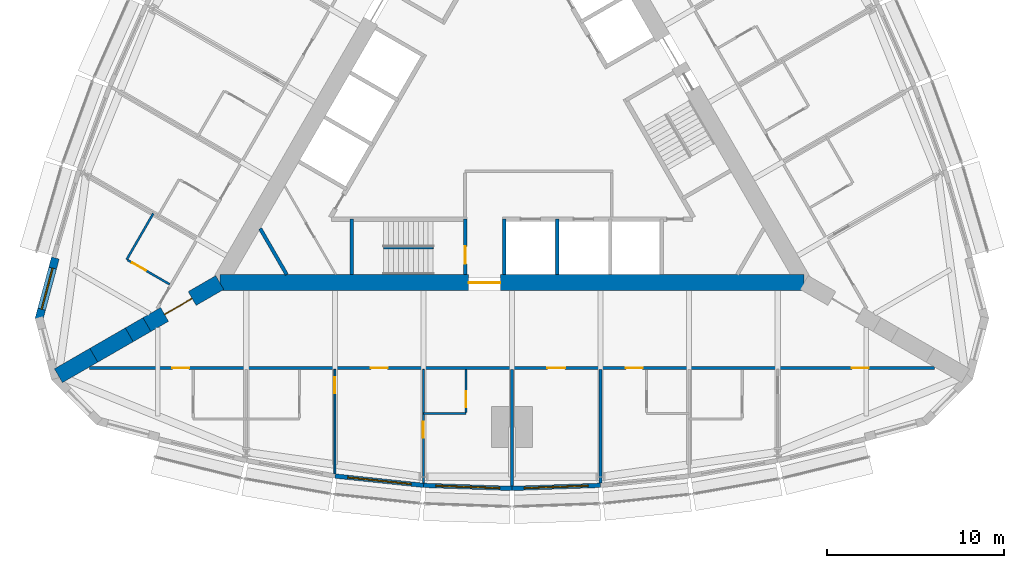
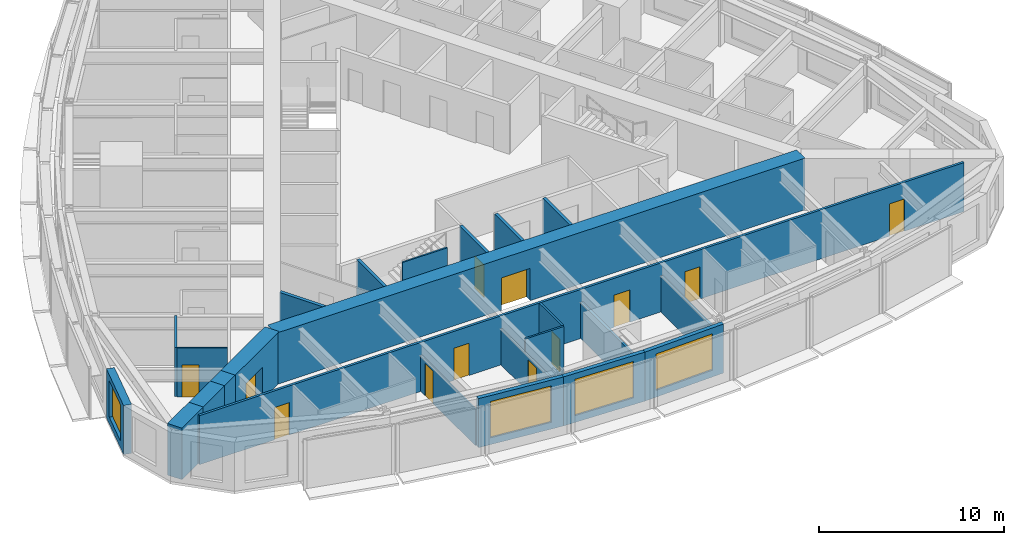
# One storey, part 8 of 14: 24 walls, 12 doors, 4 windows, 16 openings.
"""IFC4 building model written with IfcOpenShell, lengths in metres."""

from ifc_helpers import new_model, si_unit, direction, frame, frame_2d, origin, place, context, subcontext, project, spatial, rectangle, extrude, material, layer, layer_set, type_object, element, fill, save


model = new_model("IFC4")

# Units and contexts
model_context = context("Model", 3, precision=1e-05, world=origin(), true_north=direction((0.0, 1.0)))
body_context = subcontext(model_context, "Body", "Model", "MODEL_VIEW")
ifc_project = project(units=[si_unit("LENGTHUNIT", "METRE"), si_unit("AREAUNIT", "SQUARE_METRE"), si_unit("VOLUMEUNIT", "CUBIC_METRE"), si_unit("PLANEANGLEUNIT", "RADIAN"), si_unit("MASSUNIT", "GRAM", prefix="KILO")], contexts=[model_context])

# Site, building, storey
site_placement = place(None, origin())
site = spatial("IfcSite", under=ifc_project, at=site_placement, CompositionType="ELEMENT")
building_placement = place(site_placement, origin())
building = spatial("IfcBuilding", under=site, at=building_placement, Name="Trikona Tower", CompositionType="ELEMENT")
storey_placement = place(building_placement, frame((0.0, 0.0, 141.89990234375)))
storey = spatial("IfcBuildingStorey", under=building, at=storey_placement, Name="L37", CompositionType="ELEMENT", Elevation=141.89990234375)

# Wall
ifc_material_1 = material(Name="Metal stud and cement board", Category="gypsum")
ifc_layer_1 = layer(ifc_material_1, 0.1201171875)
ifc_layer_set_1 = layer_set([ifc_layer_1], Name="Bathroom wall 120")
wall_type_1 = type_object("IfcWallType", Name="Bathroom wall 120", PredefinedType="PLUMBINGWALL", material=ifc_layer_set_1)
wall_1_placement = place(storey_placement, frame((-5.0, -16.92626953125, 0.0), z_axis=(0.0, 0.0, 1.0), x_axis=(1.0, 0.0, 0.0)))
element("IfcWall", 1, at=wall_1_placement, inside=storey, type_object=wall_type_1, Name="Bathroom wall 3702.2", PredefinedType="PLUMBINGWALL", context=body_context, shape_type="SweptSolid", body=[
    extrude(rectangle(XDim=2.39990234375, YDim=0.1201171875, at=frame_2d((1.199951171875, 0.0))), origin(), (0.0, 0.0, 1.0), 3.235107421875),
])

# Wall, opening, door
wall_2_placement = place(storey_placement, frame((-2.60009765625, -14.42626953125, 0.0), z_axis=(0.0, 0.0, 1.0), x_axis=(0.0, -1.0, 0.0)))
wall_2 = element("IfcWall", 2, at=wall_2_placement, inside=storey, type_object=wall_type_1, Name="Bathroom wall 3702.2", PredefinedType="PLUMBINGWALL", context=body_context, shape_type="SweptSolid", body=[
    extrude(rectangle(XDim=2.43994140625, YDim=0.1201171875, at=frame_2d((1.219970703125, 0.0))), origin(), (0.0, 0.0, 1.0), 3.235107421875),
])
opening_1_placement = place(wall_2_placement, frame((1.25, 0.0, 0.0)))
opening_1 = element("IfcOpeningElement", 3, at=opening_1_placement, cuts=wall_2, Name="Opening D2", PredefinedType="OPENING", context=body_context, shape_type="SweptSolid", body=[
    extrude(rectangle(XDim=0.89990234375, YDim=2.1298828125, at=frame_2d((0.449951171875, 1.06494140625))), frame((0.0, 0.070068359375, 0.0), z_axis=(0.0, -1.0, 0.0), x_axis=(1.0, 0.0, 0.0)), (0.0, 0.0, 1.0), 0.14013671875),
])
ifc_material_2 = material(Name="Steel door frame with solid-core timber leaf", Category="steel")
door_type_1 = type_object("IfcDoorType", Name="Bathroom door 900x2130", OperationType="SLIDING_TO_LEFT", PredefinedType="DOOR", material=ifc_material_2)
door_1_placement = place(opening_1_placement, origin())
door_1 = element("IfcDoor", 4, at=door_1_placement, inside=storey, type_object=door_type_1, Name="Bathroom door 3702.2", OperationType="SLIDING_TO_LEFT", OverallHeight=2.1298828125, OverallWidth=0.89990234375, PredefinedType="DOOR", context=body_context, shape_type="SweptSolid", body=[
    extrude(rectangle(XDim=0.89990234375, YDim=2.1298828125, at=frame_2d((0.449951171875, 1.06494140625))), frame((0.0, 0.02490234375, 0.0), z_axis=(0.0, -1.0, 0.0), x_axis=(1.0, 0.0, 0.0)), (0.0, 0.0, 1.0), 0.050048828125),
])
fill(opening_1, door_1)

# Wall
wall_3_placement = place(storey_placement, frame((-20.25341796875, -5.627197265625, 0.0), z_axis=(0.0, 0.0, 1.0), x_axis=(-0.499990139034, -0.866031096941, 0.0)))
element("IfcWall", 5, at=wall_3_placement, inside=storey, type_object=wall_type_1, Name="Bathroom wall 3716", PredefinedType="PLUMBINGWALL", context=body_context, shape_type="SweptSolid", body=[
    extrude(rectangle(XDim=3.0, YDim=0.1201171875, at=frame_2d((1.5, 0.0))), origin(), (0.0, 0.0, 1.0), 3.235107421875),
])

# Wall, opening, door
wall_4_placement = place(storey_placement, frame((-19.32861328125, -9.625244140625, 0.0), z_axis=(0.0, 0.0, 1.0), x_axis=(-0.866035715982, 0.499982138324, 0.0)))
wall_4 = element("IfcWall", 6, at=wall_4_placement, inside=storey, type_object=wall_type_1, Name="Bathroom wall 3716", PredefinedType="PLUMBINGWALL", context=body_context, shape_type="SweptSolid", body=[
    extrude(rectangle(XDim=2.73974609375, YDim=0.1201171875, at=frame_2d((1.369873046875, 0.0))), origin(), (0.0, 0.0, 1.0), 3.235107421875),
])
opening_2_placement = place(wall_4_placement, frame((1.550048828125, 0.0, 0.0)))
opening_2 = element("IfcOpeningElement", 7, at=opening_2_placement, cuts=wall_4, Name="Opening D2", PredefinedType="OPENING", context=body_context, shape_type="SweptSolid", body=[
    extrude(rectangle(XDim=0.89990234375, YDim=2.1298828125, at=frame_2d((0.449951171875, 1.06494140625))), frame((0.0, 0.070068359375, 0.0), z_axis=(0.0, -1.0, 0.0), x_axis=(1.0, 0.0, 0.0)), (0.0, 0.0, 1.0), 0.14013671875),
])
door_2_placement = place(opening_2_placement, origin())
door_2 = element("IfcDoor", 8, at=door_2_placement, inside=storey, type_object=door_type_1, Name="Bathroom door 3716", OperationType="SLIDING_TO_LEFT", OverallHeight=2.1298828125, OverallWidth=0.89990234375, PredefinedType="DOOR", context=body_context, shape_type="SweptSolid", body=[
    extrude(rectangle(XDim=0.89990234375, YDim=2.1298828125, at=frame_2d((0.449951171875, 1.06494140625))), frame((0.0, 0.02490234375, 0.0), z_axis=(0.0, -1.0, 0.0), x_axis=(1.0, 0.0, 0.0)), (0.0, 0.0, 1.0), 0.050048828125),
])
fill(opening_2, door_2)

# Wall, opening, window
ifc_material_3 = material(Name="Brick-faced precast concrete", Category="masonry")
ifc_layer_2 = layer(ifc_material_3, 0.449951171875)
ifc_layer_set_2 = layer_set([ifc_layer_2], Name="Brick-faced corner wall 450")
wall_type_2 = type_object("IfcWallType", Name="Brick-faced corner wall 450", PredefinedType="SOLIDWALL", material=ifc_layer_set_2)
wall_5_placement = place(storey_placement, frame((-25.78271484375, -8.14111328125, 0.0), z_axis=(0.0, 0.0, 1.0), x_axis=(-0.258823421857, -0.965924653531, 0.0)))
wall_5 = element("IfcWall", 9, at=wall_5_placement, inside=storey, type_object=wall_type_2, Name="External wall L37-32", PredefinedType="SOLIDWALL", context=body_context, shape_type="SweptSolid", body=[
    extrude(rectangle(XDim=3.58642578125, YDim=0.449951171875, at=frame_2d((1.793212890625, 0.0))), origin(), (0.0, 0.0, 1.0), 3.235107421875),
])
opening_3_placement = place(wall_5_placement, frame((0.593017578125, 0.0, 0.449951171875)))
opening_3 = element("IfcOpeningElement", 10, at=opening_3_placement, cuts=wall_5, Name="Opening W2424", PredefinedType="OPENING", context=body_context, shape_type="SweptSolid", body=[
    extrude(rectangle(XDim=2.39990234375, YDim=2.39990234375, at=frame_2d((1.199951171875, 1.199951171875))), frame((0.0, 0.23486328125, 0.0), z_axis=(0.0, -1.0, 0.0), x_axis=(1.0, 0.0, 0.0)), (0.0, 0.0, 1.0), 0.469970703125),
])
ifc_material_4 = material(Name="Aluminium-framed double glazing", Category="aluminium")
window_type_1 = type_object("IfcWindowType", Name="Window 2400x2400", PartitioningType="SINGLE_PANEL", PredefinedType="WINDOW", material=ifc_material_4)
window_1_placement = place(opening_3_placement, origin())
window_1 = element("IfcWindow", 11, at=window_1_placement, inside=storey, type_object=window_type_1, Name="Window 3716", OverallHeight=2.39990234375, OverallWidth=2.39990234375, PartitioningType="SINGLE_PANEL", PredefinedType="WINDOW", context=body_context, shape_type="SweptSolid", body=[
    extrude(rectangle(XDim=2.39990234375, YDim=2.39990234375, at=frame_2d((1.199951171875, 1.199951171875))), frame((0.0, 0.030029296875, 0.0), z_axis=(0.0, -1.0, 0.0), x_axis=(1.0, 0.0, 0.0)), (0.0, 0.0, 1.0), 0.06005859375),
])
fill(opening_3, window_1)

# Wall, opening, door
ifc_material_5 = material(Name="Concrete f'c 10000 psi", Category="concrete")
ifc_layer_3 = layer(ifc_material_5, 0.89990234375)
ifc_layer_set_3 = layer_set([ifc_layer_3], Name="Buttress wall 900")
wall_type_3 = type_object("IfcWallType", Name="Buttress wall 900", PredefinedType="SHEAR", material=ifc_layer_set_3)
wall_6_placement = place(storey_placement, frame((-16.5, -9.5263671875, 0.0), z_axis=(0.0, 0.0, 1.0), x_axis=(-0.866031398331, -0.499989616998, 0.0)))
wall_6 = element("IfcWall", 12, at=wall_6_placement, inside=storey, type_object=wall_type_3, Name="Buttress wall 3", PredefinedType="SHEAR", context=body_context, shape_type="SweptSolid", body=[
    extrude(rectangle(XDim=4.74609375, YDim=0.89990234375, at=frame_2d((2.373046875, 0.0))), origin(), (0.0, 0.0, 1.0), 3.400146484375),
])
opening_4_placement = place(wall_6_placement, frame((1.800048828125, 0.0, 0.0)))
opening_4 = element("IfcOpeningElement", 13, at=opening_4_placement, cuts=wall_6, Name="Opening D10", PredefinedType="OPENING", context=body_context, shape_type="SweptSolid", body=[
    extrude(rectangle(XDim=1.800048828125, YDim=2.1298828125, at=frame_2d((0.89990234375, 1.06494140625))), frame((0.0, 0.4599609375, 0.0), z_axis=(0.0, -1.0, 0.0), x_axis=(1.0, 0.0, 0.0)), (0.0, 0.0, 1.0), 0.919921875),
])
ifc_material_6 = material(Name="Hollow metal door and frame", Category="steel")
door_type_2 = type_object("IfcDoorType", Name="Cross-corridor door pair 1800x2130", OperationType="DOUBLE_DOOR_DOUBLE_SWING", PredefinedType="DOOR", material=ifc_material_6)
door_3_placement = place(opening_4_placement, origin())
door_3 = element("IfcDoor", 14, at=door_3_placement, inside=storey, type_object=door_type_2, Name="Cross-corridor door 3", OperationType="DOUBLE_DOOR_DOUBLE_SWING", OverallHeight=2.1298828125, OverallWidth=1.800048828125, PredefinedType="DOOR", context=body_context, shape_type="SweptSolid", body=[
    extrude(rectangle(XDim=1.800048828125, YDim=2.1298828125, at=frame_2d((0.89990234375, 1.06494140625))), frame((0.0, 0.02490234375, 0.0), z_axis=(0.0, -1.0, 0.0), x_axis=(1.0, 0.0, 0.0)), (0.0, 0.0, 1.0), 0.050048828125),
])
fill(opening_4, door_3)

# Walls
wall_7_placement = place(storey_placement, frame((-20.6103515625, -11.8994140625, 0.0), z_axis=(0.0, 0.0, 1.0), x_axis=(-0.866009537788, -0.500027479704, 0.0)))
element("IfcWall", 15, at=wall_7_placement, inside=storey, type_object=wall_type_3, Name="Buttress wall 3 part 2", PredefinedType="SHEAR", context=body_context, shape_type="SweptSolid", body=[
    extrude(rectangle(XDim=1.15478515625, YDim=0.89990234375, at=frame_2d((0.577392578125, 0.0))), origin(), (0.0, 0.0, 1.0), 3.400146484375),
])
for number, where, z_axis, x_axis, name in (
    (16, (-21.6103515625, -12.476806640625, 0.0), (0.0, 0.0, 1.0), (-0.866055313784, -0.499948190782, 0.0), "Buttress wall 3 part 3"),
    (17, (-23.6103515625, -13.63134765625, 0.0), (0.0, 0.0, 1.0), (-0.866009537788, -0.500027479704, 0.0), "Buttress wall 3 part 4"),
):
    element("IfcWall", number, at=place(storey_placement, frame(where, z_axis=z_axis, x_axis=x_axis)), inside=storey, type_object=wall_type_3, Name=name, PredefinedType="SHEAR", context=body_context, shape_type="SweptSolid", body=[
        extrude(rectangle(XDim=2.309326171875, YDim=0.89990234375, at=frame_2d((1.15478515625, 0.0))), origin(), (0.0, 0.0, 1.0), 3.400146484375),
    ])

# Wall, opening, door
ifc_material_7 = material(Name="Concrete f'c 10000 psi", Category="concrete")
ifc_layer_4 = layer(ifc_material_7, 0.89990234375)
ifc_layer_set_4 = layer_set([ifc_layer_4], Name="Core wall 900")
wall_type_4 = type_object("IfcWallType", Name="Core wall 900", PredefinedType="SHEAR", material=ifc_layer_set_4)
wall_8_placement = place(storey_placement, frame((-16.5, -9.5263671875, 0.0), z_axis=(0.0, 0.0, 1.0), x_axis=(1.0, 0.0, 0.0)))
wall_8 = element("IfcWall", 18, at=wall_8_placement, inside=storey, type_object=wall_type_4, Name="Core wall A", PredefinedType="SHEAR", context=body_context, shape_type="SweptSolid", body=[
    extrude(rectangle(XDim=33.0, YDim=0.89990234375, at=frame_2d((16.5, 0.0))), origin(), (0.0, 0.0, 1.0), 3.400146484375),
])
opening_5_placement = place(wall_8_placement, frame((14.050048828125, 0.0, 0.0)))
opening_5 = element("IfcOpeningElement", 19, at=opening_5_placement, cuts=wall_8, Name="Opening D6", PredefinedType="OPENING", context=body_context, shape_type="SweptSolid", body=[
    extrude(rectangle(XDim=1.800048828125, YDim=2.1298828125, at=frame_2d((0.89990234375, 1.06494140625))), frame((0.0, 0.4599609375, 0.0), z_axis=(0.0, -1.0, 0.0), x_axis=(1.0, 0.0, 0.0)), (0.0, 0.0, 1.0), 0.919921875),
])
ifc_material_8 = material(Name="Hollow metal door and frame", Category="steel")
door_type_3 = type_object("IfcDoorType", Name="Lobby door pair 1800x2130", OperationType="DOUBLE_DOOR_SINGLE_SWING", PredefinedType="DOOR", material=ifc_material_8)
door_4_placement = place(opening_5_placement, origin())
door_4 = element("IfcDoor", 20, at=door_4_placement, inside=storey, type_object=door_type_3, Name="Fire service lift lobby door", OperationType="DOUBLE_DOOR_SINGLE_SWING", OverallHeight=2.1298828125, OverallWidth=1.800048828125, PredefinedType="DOOR", context=body_context, shape_type="SweptSolid", body=[
    extrude(rectangle(XDim=1.800048828125, YDim=2.1298828125, at=frame_2d((0.89990234375, 1.06494140625))), frame((0.0, 0.02490234375, 0.0), z_axis=(0.0, -1.0, 0.0), x_axis=(1.0, 0.0, 0.0)), (0.0, 0.0, 1.0), 0.050048828125),
])
fill(opening_5, door_4)

# Wall, openings, doors
ifc_material_9 = material(Name="Metal stud and gypsum board, 1-hour", Category="gypsum")
ifc_layer_5 = layer(ifc_material_9, 0.14990234375)
ifc_layer_set_5 = layer_set([ifc_layer_5], Name="Corridor wall 150")
wall_type_5 = type_object("IfcWallType", Name="Corridor wall 150", PredefinedType="PARTITIONING", material=ifc_layer_set_5)
wall_9_placement = place(storey_placement, frame((-23.857177734375, -14.351318359375, 0.0), z_axis=(0.0, 0.0, 1.0), x_axis=(1.0, 0.0, 0.0)))
wall_9 = element("IfcWall", 21, at=wall_9_placement, inside=storey, type_object=wall_type_5, Name="Corridor wall L37-1", PredefinedType="PARTITIONING", context=body_context, shape_type="SweptSolid", body=[
    extrude(rectangle(XDim=47.71435546875, YDim=0.14990234375, at=frame_2d((23.857177734375, 0.0))), origin(), (0.0, 0.0, 1.0), 3.235107421875),
])
opening_6_placement = place(wall_9_placement, frame((4.68212890625, 0.0, 0.0)))
opening_6 = element("IfcOpeningElement", 22, at=opening_6_placement, cuts=wall_9, Name="Opening D1", PredefinedType="OPENING", context=body_context, shape_type="SweptSolid", body=[
    extrude(rectangle(XDim=0.949951171875, YDim=2.1298828125, at=frame_2d((0.47509765625, 1.06494140625))), frame((0.0, 0.0849609375, 0.0), z_axis=(0.0, -1.0, 0.0), x_axis=(1.0, 0.0, 0.0)), (0.0, 0.0, 1.0), 0.169921875),
])
opening_7_placement = place(wall_9_placement, frame((15.882080078125, 0.0, 0.0)))
opening_7 = element("IfcOpeningElement", 23, at=opening_7_placement, cuts=wall_9, Name="Opening D1", PredefinedType="OPENING", context=body_context, shape_type="SweptSolid", body=[
    extrude(rectangle(XDim=0.949951171875, YDim=2.1298828125, at=frame_2d((0.47509765625, 1.06494140625))), frame((0.0, 0.0849609375, 0.0), z_axis=(0.0, -1.0, 0.0), x_axis=(1.0, 0.0, 0.0)), (0.0, 0.0, 1.0), 0.169921875),
])
opening_8_placement = place(wall_9_placement, frame((25.857177734375, 0.0, 0.0)))
opening_8 = element("IfcOpeningElement", 24, at=opening_8_placement, cuts=wall_9, Name="Opening D3", PredefinedType="OPENING", context=body_context, shape_type="SweptSolid", body=[
    extrude(rectangle(XDim=1.0, YDim=2.1298828125, at=frame_2d((0.5, 1.06494140625))), frame((0.0, 0.0849609375, 0.0), z_axis=(0.0, -1.0, 0.0), x_axis=(1.0, 0.0, 0.0)), (0.0, 0.0, 1.0), 0.169921875),
])
opening_9_placement = place(wall_9_placement, frame((30.281982421875, 0.0, 0.0)))
opening_9 = element("IfcOpeningElement", 25, at=opening_9_placement, cuts=wall_9, Name="Opening D1", PredefinedType="OPENING", context=body_context, shape_type="SweptSolid", body=[
    extrude(rectangle(XDim=0.949951171875, YDim=2.1298828125, at=frame_2d((0.47509765625, 1.06494140625))), frame((0.0, 0.0849609375, 0.0), z_axis=(0.0, -1.0, 0.0), x_axis=(1.0, 0.0, 0.0)), (0.0, 0.0, 1.0), 0.169921875),
])
opening_10_placement = place(wall_9_placement, frame((43.041015625, 0.0, 0.0)))
opening_10 = element("IfcOpeningElement", 26, at=opening_10_placement, cuts=wall_9, Name="Opening D1", PredefinedType="OPENING", context=body_context, shape_type="SweptSolid", body=[
    extrude(rectangle(XDim=0.949951171875, YDim=2.1298828125, at=frame_2d((0.47509765625, 1.06494140625))), frame((0.0, 0.0849609375, 0.0), z_axis=(0.0, -1.0, 0.0), x_axis=(1.0, 0.0, 0.0)), (0.0, 0.0, 1.0), 0.169921875),
])
ifc_material_10 = material(Name="Steel door frame with solid-core timber leaf", Category="steel")
door_type_4 = type_object("IfcDoorType", Name="Guest room door 950x2130", OperationType="SINGLE_SWING_LEFT", PredefinedType="DOOR", material=ifc_material_10)
door_5_placement = place(opening_6_placement, origin())
door_5 = element("IfcDoor", 27, at=door_5_placement, inside=storey, type_object=door_type_4, Name="Room door 3701", OperationType="SINGLE_SWING_LEFT", OverallHeight=2.1298828125, OverallWidth=0.949951171875, PredefinedType="DOOR", context=body_context, shape_type="SweptSolid", body=[
    extrude(rectangle(XDim=0.949951171875, YDim=2.1298828125, at=frame_2d((0.47509765625, 1.06494140625))), frame((0.0, 0.02490234375, 0.0), z_axis=(0.0, -1.0, 0.0), x_axis=(1.0, 0.0, 0.0)), (0.0, 0.0, 1.0), 0.050048828125),
])
fill(opening_6, door_5)
door_6_placement = place(opening_7_placement, origin())
door_6 = element("IfcDoor", 28, at=door_6_placement, inside=storey, type_object=door_type_4, Name="Room door 3702", OperationType="SINGLE_SWING_RIGHT", OverallHeight=2.1298828125, OverallWidth=0.949951171875, PredefinedType="DOOR", context=body_context, shape_type="SweptSolid", body=[
    extrude(rectangle(XDim=0.949951171875, YDim=2.1298828125, at=frame_2d((0.47509765625, 1.06494140625))), frame((0.0, 0.02490234375, 0.0), z_axis=(0.0, -1.0, 0.0), x_axis=(1.0, 0.0, 0.0)), (0.0, 0.0, 1.0), 0.050048828125),
])
fill(opening_7, door_6)
door_7_placement = place(opening_9_placement, origin())
door_7 = element("IfcDoor", 29, at=door_7_placement, inside=storey, type_object=door_type_4, Name="Room door 3703", OperationType="SINGLE_SWING_RIGHT", OverallHeight=2.1298828125, OverallWidth=0.949951171875, PredefinedType="DOOR", context=body_context, shape_type="SweptSolid", body=[
    extrude(rectangle(XDim=0.949951171875, YDim=2.1298828125, at=frame_2d((0.47509765625, 1.06494140625))), frame((0.0, 0.02490234375, 0.0), z_axis=(0.0, -1.0, 0.0), x_axis=(1.0, 0.0, 0.0)), (0.0, 0.0, 1.0), 0.050048828125),
])
fill(opening_9, door_7)
door_8_placement = place(opening_10_placement, origin())
door_8 = element("IfcDoor", 30, at=door_8_placement, inside=storey, type_object=door_type_4, Name="Room door 3704", OperationType="SINGLE_SWING_RIGHT", OverallHeight=2.1298828125, OverallWidth=0.949951171875, PredefinedType="DOOR", context=body_context, shape_type="SweptSolid", body=[
    extrude(rectangle(XDim=0.949951171875, YDim=2.1298828125, at=frame_2d((0.47509765625, 1.06494140625))), frame((0.0, 0.02490234375, 0.0), z_axis=(0.0, -1.0, 0.0), x_axis=(1.0, 0.0, 0.0)), (0.0, 0.0, 1.0), 0.050048828125),
])
fill(opening_10, door_8)
ifc_material_11 = material(Name="Steel door frame with solid-core timber leaf", Category="steel")
door_type_5 = type_object("IfcDoorType", Name="Room door 1000x2130", OperationType="SINGLE_SWING_LEFT", PredefinedType="DOOR", material=ifc_material_11)
door_9_placement = place(opening_8_placement, origin())
door_9 = element("IfcDoor", 31, at=door_9_placement, inside=storey, type_object=door_type_5, Name="Door Housekeeping pantry", OperationType="SINGLE_SWING_LEFT", OverallHeight=2.1298828125, OverallWidth=1.0, PredefinedType="DOOR", context=body_context, shape_type="SweptSolid", body=[
    extrude(rectangle(XDim=1.0, YDim=2.1298828125, at=frame_2d((0.5, 1.06494140625))), frame((0.0, 0.02490234375, 0.0), z_axis=(0.0, -1.0, 0.0), x_axis=(1.0, 0.0, 0.0)), (0.0, 0.0, 1.0), 0.050048828125),
])
fill(opening_8, door_9)

# Wall, opening, window
ifc_material_12 = material(Name="Insulated precast concrete spandrel panel", Category="concrete")
ifc_layer_6 = layer(ifc_material_12, 0.25)
ifc_layer_set_6 = layer_set([ifc_layer_6], Name="Inner skin wall 250")
wall_type_6 = type_object("IfcWallType", Name="Inner skin wall 250", PredefinedType="STANDARD", material=ifc_layer_set_6)
wall_10_placement = place(storey_placement, frame((-9.98681640625, -20.450927734375, 0.0), z_axis=(0.0, 0.0, 1.0), x_axis=(0.994534683851, -0.104406717299, 0.0)))
wall_10 = element("IfcWall", 32, at=wall_10_placement, inside=storey, type_object=wall_type_6, Name="External wall L37-02", PredefinedType="STANDARD", context=body_context, shape_type="SweptSolid", body=[
    extrude(rectangle(XDim=5.027587890625, YDim=0.25, at=frame_2d((2.513671875, 0.0))), origin(), (0.0, 0.0, 1.0), 3.235107421875),
])
opening_11_placement = place(wall_10_placement, frame((0.713623046875, 0.0, 0.449951171875)))
opening_11 = element("IfcOpeningElement", 33, at=opening_11_placement, cuts=wall_10, Name="Opening W3624", PredefinedType="OPENING", context=body_context, shape_type="SweptSolid", body=[
    extrude(rectangle(XDim=3.60009765625, YDim=2.39990234375, at=frame_2d((1.800048828125, 1.199951171875))), frame((0.0, 0.135009765625, 0.0), z_axis=(0.0, -1.0, 0.0), x_axis=(1.0, 0.0, 0.0)), (0.0, 0.0, 1.0), 0.27001953125),
])
ifc_material_13 = material(Name="Aluminium-framed double glazing", Category="aluminium")
window_type_2 = type_object("IfcWindowType", Name="Window 3600x2400", PartitioningType="SINGLE_PANEL", PredefinedType="WINDOW", material=ifc_material_13)
window_2_placement = place(opening_11_placement, origin())
window_2 = element("IfcWindow", 34, at=window_2_placement, inside=storey, type_object=window_type_2, Name="Window 3702", OverallHeight=2.39990234375, OverallWidth=3.60009765625, PartitioningType="SINGLE_PANEL", PredefinedType="WINDOW", context=body_context, shape_type="SweptSolid", body=[
    extrude(rectangle(XDim=3.60009765625, YDim=2.39990234375, at=frame_2d((1.800048828125, 1.199951171875))), frame((0.0, 0.030029296875, 0.0), z_axis=(0.0, -1.0, 0.0), x_axis=(1.0, 0.0, 0.0)), (0.0, 0.0, 1.0), 0.06005859375),
])
fill(opening_11, window_2)

wall_11_placement = place(storey_placement, frame((-4.99560546875, -20.975341796875, 0.0), z_axis=(0.0, 0.0, 1.0), x_axis=(0.999387720943, -0.034988329879, 0.0)))
wall_11 = element("IfcWall", 35, at=wall_11_placement, inside=storey, type_object=wall_type_6, Name="External wall L37-03", PredefinedType="STANDARD", context=body_context, shape_type="SweptSolid", body=[
    extrude(rectangle(XDim=5.003173828125, YDim=0.25, at=frame_2d((2.50146484375, 0.0))), origin(), (0.0, 0.0, 1.0), 3.235107421875),
])
opening_12_placement = place(wall_11_placement, frame((0.701416015625, 0.0, 0.449951171875)))
opening_12 = element("IfcOpeningElement", 36, at=opening_12_placement, cuts=wall_11, Name="Opening W3624", PredefinedType="OPENING", context=body_context, shape_type="SweptSolid", body=[
    extrude(rectangle(XDim=3.60009765625, YDim=2.39990234375, at=frame_2d((1.800048828125, 1.199951171875))), frame((0.0, 0.135009765625, 0.0), z_axis=(0.0, -1.0, 0.0), x_axis=(1.0, 0.0, 0.0)), (0.0, 0.0, 1.0), 0.27001953125),
])
window_3_placement = place(opening_12_placement, origin())
window_3 = element("IfcWindow", 37, at=window_3_placement, inside=storey, type_object=window_type_2, Name="Window 3702.2", OverallHeight=2.39990234375, OverallWidth=3.60009765625, PartitioningType="SINGLE_PANEL", PredefinedType="WINDOW", context=body_context, shape_type="SweptSolid", body=[
    extrude(rectangle(XDim=3.60009765625, YDim=2.39990234375, at=frame_2d((1.800048828125, 1.199951171875))), frame((0.0, 0.030029296875, 0.0), z_axis=(0.0, -1.0, 0.0), x_axis=(1.0, 0.0, 0.0)), (0.0, 0.0, 1.0), 0.06005859375),
])
fill(opening_12, window_3)

wall_12_placement = place(storey_placement, frame((-0.00439453125, -21.150390625, 0.0), z_axis=(0.0, 0.0, 1.0), x_axis=(0.999387720943, 0.034988329879, 0.0)))
wall_12 = element("IfcWall", 38, at=wall_12_placement, inside=storey, type_object=wall_type_6, Name="External wall L37-04", PredefinedType="STANDARD", context=body_context, shape_type="SweptSolid", body=[
    extrude(rectangle(XDim=5.003173828125, YDim=0.25, at=frame_2d((2.50146484375, 0.0))), origin(), (0.0, 0.0, 1.0), 3.235107421875),
])
opening_13_placement = place(wall_12_placement, frame((0.701416015625, 0.0, 0.449951171875)))
opening_13 = element("IfcOpeningElement", 39, at=opening_13_placement, cuts=wall_12, Name="Opening W3624", PredefinedType="OPENING", context=body_context, shape_type="SweptSolid", body=[
    extrude(rectangle(XDim=3.60009765625, YDim=2.39990234375, at=frame_2d((1.800048828125, 1.199951171875))), frame((0.0, 0.135009765625, 0.0), z_axis=(0.0, -1.0, 0.0), x_axis=(1.0, 0.0, 0.0)), (0.0, 0.0, 1.0), 0.27001953125),
])
window_4_placement = place(opening_13_placement, origin())
window_4 = element("IfcWindow", 40, at=window_4_placement, inside=storey, type_object=window_type_2, Name="Window L37-HKP", OverallHeight=2.39990234375, OverallWidth=3.60009765625, PartitioningType="SINGLE_PANEL", PredefinedType="WINDOW", context=body_context, shape_type="SweptSolid", body=[
    extrude(rectangle(XDim=3.60009765625, YDim=2.39990234375, at=frame_2d((1.800048828125, 1.199951171875))), frame((0.0, 0.030029296875, 0.0), z_axis=(0.0, -1.0, 0.0), x_axis=(1.0, 0.0, 0.0)), (0.0, 0.0, 1.0), 0.06005859375),
])
fill(opening_13, window_4)

# Walls
ifc_material_14 = material(Name="Metal stud and gypsum board, 1-hour acoustic", Category="gypsum")
ifc_layer_7 = layer(ifc_material_14, 0.14990234375)
ifc_layer_set_7 = layer_set([ifc_layer_7], Name="Party wall 150")
wall_type_7 = type_object("IfcWallType", Name="Party wall 150", PredefinedType="PARTITIONING", material=ifc_layer_set_7)
wall_13_placement = place(storey_placement, frame((0.0, -14.42626953125, 0.0), z_axis=(0.0, 0.0, 1.0), x_axis=(0.0, -1.0, 0.0)))
element("IfcWall", 41, at=wall_13_placement, inside=storey, type_object=wall_type_7, Name="Partition L37 F1 u-9.86076e-31", PredefinedType="PARTITIONING", context=body_context, shape_type="SweptSolid", body=[
    extrude(rectangle(XDim=6.5986328125, YDim=0.14990234375, at=frame_2d((3.29931640625, 0.0))), origin(), (0.0, 0.0, 1.0), 2.389404296875),
])
wall_14_placement = place(storey_placement, frame((5.0, -14.42626953125, 0.0), z_axis=(0.0, 0.0, 1.0), x_axis=(0.0, -1.0, 0.0)))
element("IfcWall", 42, at=wall_14_placement, inside=storey, type_object=wall_type_7, Name="Partition L37 F1 u5", PredefinedType="PARTITIONING", context=body_context, shape_type="SweptSolid", body=[
    extrude(rectangle(XDim=6.422607421875, YDim=0.14990234375, at=frame_2d((3.21142578125, 0.0))), origin(), (0.0, 0.0, 1.0), 2.389404296875),
])
ifc_material_15 = material(Name="Concrete f'c 8000 psi", Category="concrete")
ifc_layer_8 = layer(ifc_material_15, 0.199951171875)
ifc_layer_set_8 = layer_set([ifc_layer_8], Name="Shaft wall 200")
wall_type_8 = type_object("IfcWallType", Name="Shaft wall 200", PredefinedType="SOLIDWALL", material=ifc_layer_set_8)
for number, where, z_axis, x_axis, name in (
    (43, (-0.449951171875, -5.951416015625, 0.0), (0.0, 0.0, 1.0), (0.0, -1.0, 0.0), "Shaft wall A3"),
    (44, (2.550048828125, -5.951416015625, 0.0), (0.0, 0.0, 1.0), (0.0, -1.0, 0.0), "Shaft wall A4"),
):
    element("IfcWall", number, at=place(storey_placement, frame(where, z_axis=z_axis, x_axis=x_axis)), inside=storey, type_object=wall_type_8, Name=name, PredefinedType="SOLIDWALL", context=body_context, shape_type="SweptSolid", body=[
        extrude(rectangle(XDim=3.125, YDim=0.199951171875, at=frame_2d((1.5625, 0.0))), origin(), (0.0, 0.0, 1.0), 3.235107421875),
    ])
wall_15_placement = place(storey_placement, frame((-12.718505859375, -9.076416015625, 0.0), z_axis=(0.0, 0.0, 1.0), x_axis=(-0.499952404951, 0.866052881055, 0.0)))
element("IfcWall", 45, at=wall_15_placement, inside=storey, type_object=wall_type_8, Name="Riser wall L37-RS3", PredefinedType="SOLIDWALL", context=body_context, shape_type="SweptSolid", body=[
    extrude(rectangle(XDim=3.002197265625, YDim=0.199951171875, at=frame_2d((1.5009765625, 0.0))), origin(), (0.0, 0.0, 1.0), 3.235107421875),
])
ifc_material_16 = material(Name="Concrete f'c 8000 psi", Category="concrete")
ifc_layer_9 = layer(ifc_material_16, 0.199951171875)
ifc_layer_set_9 = layer_set([ifc_layer_9], Name="Shaft wall 200 load-bearing")
wall_type_9 = type_object("IfcWallType", Name="Shaft wall 200 load-bearing", PredefinedType="SOLIDWALL", material=ifc_layer_set_9)
wall_16_placement = place(storey_placement, frame((-9.050048828125, -5.951416015625, 0.0), z_axis=(0.0, 0.0, 1.0), x_axis=(0.0, -1.0, 0.0)))
element("IfcWall", 46, at=wall_16_placement, inside=storey, type_object=wall_type_9, Name="Shaft wall A1", PredefinedType="SOLIDWALL", context=body_context, shape_type="SweptSolid", body=[
    extrude(rectangle(XDim=3.125, YDim=0.199951171875, at=frame_2d((1.5625, 0.0))), origin(), (0.0, 0.0, 1.0), 3.235107421875),
])

# Wall, opening, door
wall_17_placement = place(storey_placement, frame((-2.64990234375, -5.951416015625, 0.0), z_axis=(0.0, 0.0, 1.0), x_axis=(0.0, -1.0, 0.0)))
wall_17 = element("IfcWall", 47, at=wall_17_placement, inside=storey, type_object=wall_type_9, Name="Shaft wall A2", PredefinedType="SOLIDWALL", context=body_context, shape_type="SweptSolid", body=[
    extrude(rectangle(XDim=3.125, YDim=0.199951171875, at=frame_2d((1.5625, 0.0))), origin(), (0.0, 0.0, 1.0), 3.235107421875),
])
opening_14_placement = place(wall_17_placement, frame((1.52490234375, 0.0, 0.0)))
opening_14 = element("IfcOpeningElement", 48, at=opening_14_placement, cuts=wall_17, Name="Opening D5", PredefinedType="OPENING", context=body_context, shape_type="SweptSolid", body=[
    extrude(rectangle(XDim=1.0, YDim=2.1298828125, at=frame_2d((0.5, 1.06494140625))), frame((0.0, 0.10986328125, 0.0), z_axis=(0.0, -1.0, 0.0), x_axis=(1.0, 0.0, 0.0)), (0.0, 0.0, 1.0), 0.219970703125),
])
ifc_material_17 = material(Name="Hollow metal door and frame", Category="steel")
door_type_6 = type_object("IfcDoorType", Name="Stair door 1000x2130", OperationType="SINGLE_SWING_LEFT", PredefinedType="DOOR", material=ifc_material_17)
door_10_placement = place(opening_14_placement, origin())
door_10 = element("IfcDoor", 49, at=door_10_placement, inside=storey, type_object=door_type_6, Name="Stair A door", OperationType="SINGLE_SWING_RIGHT", OverallHeight=2.1298828125, OverallWidth=1.0, PredefinedType="DOOR", context=body_context, shape_type="SweptSolid", body=[
    extrude(rectangle(XDim=1.0, YDim=2.1298828125, at=frame_2d((0.5, 1.06494140625))), frame((0.0, 0.02490234375, 0.0), z_axis=(0.0, -1.0, 0.0), x_axis=(1.0, 0.0, 0.0)), (0.0, 0.0, 1.0), 0.050048828125),
])
fill(opening_14, door_10)

# Wall
ifc_material_18 = material(Name="Concrete f'c 5000 psi", Category="concrete")
ifc_layer_10 = layer(ifc_material_18, 0.10009765625)
ifc_layer_set_10 = layer_set([ifc_layer_10], Name="Stair spine wall 100")
wall_type_10 = type_object("IfcWallType", Name="Stair spine wall 100", PredefinedType="SOLIDWALL", material=ifc_layer_set_10)
wall_18_placement = place(storey_placement, frame((-7.2470703125, -7.576416015625, 0.0), z_axis=(0.0, 0.0, 1.0), x_axis=(1.0, 0.0, 0.0)))
element("IfcWall", 50, at=wall_18_placement, inside=storey, type_object=wall_type_10, Name="Stair A spine wall L37", PredefinedType="SOLIDWALL", context=body_context, shape_type="SweptSolid", body=[
    extrude(rectangle(XDim=2.794189453125, YDim=0.10009765625, at=frame_2d((1.39697265625, 0.0))), origin(), (0.0, 0.0, 1.0), 3.400146484375),
])

# Wall, opening, door
ifc_material_19 = material(Name="Metal stud and gypsum board, acoustic", Category="gypsum")
ifc_layer_11 = layer(ifc_material_19, 0.10009765625)
ifc_layer_set_11 = layer_set([ifc_layer_11], Name="Suite partition 100")
wall_type_11 = type_object("IfcWallType", Name="Suite partition 100", PredefinedType="PARTITIONING", material=ifc_layer_set_11)
wall_19_placement = place(storey_placement, frame((-10.0, -14.42626953125, 0.0), z_axis=(0.0, 0.0, 1.0), x_axis=(0.0, -1.0, 0.0)))
wall_19 = element("IfcWall", 51, at=wall_19_placement, inside=storey, type_object=wall_type_11, Name="Suite partition L37 F1 u-10", PredefinedType="PARTITIONING", context=body_context, shape_type="SweptSolid", body=[
    extrude(rectangle(XDim=5.89501953125, YDim=0.10009765625, at=frame_2d((2.947509765625, 0.0))), origin(), (0.0, 0.0, 1.0), 2.389404296875),
])
opening_15_placement = place(wall_19_placement, frame((0.449951171875, 0.0, 0.0)))
opening_15 = element("IfcOpeningElement", 52, at=opening_15_placement, cuts=wall_19, Name="Opening D13", PredefinedType="OPENING", context=body_context, shape_type="SweptSolid", body=[
    extrude(rectangle(XDim=0.89990234375, YDim=2.1298828125, at=frame_2d((0.449951171875, 1.06494140625))), frame((0.0, 0.06005859375, 0.0), z_axis=(0.0, -1.0, 0.0), x_axis=(1.0, 0.0, 0.0)), (0.0, 0.0, 1.0), 0.1201171875),
])
ifc_material_20 = material(Name="Steel door frame with solid-core timber leaf", Category="steel")
door_type_7 = type_object("IfcDoorType", Name="Suite door 900x2130", OperationType="SINGLE_SWING_LEFT", PredefinedType="DOOR", material=ifc_material_20)
door_11_placement = place(opening_15_placement, origin())
door_11 = element("IfcDoor", 53, at=door_11_placement, inside=storey, type_object=door_type_7, Name="Suite door 3702", OperationType="SINGLE_SWING_LEFT", OverallHeight=2.1298828125, OverallWidth=0.89990234375, PredefinedType="DOOR", context=body_context, shape_type="SweptSolid", body=[
    extrude(rectangle(XDim=0.89990234375, YDim=2.1298828125, at=frame_2d((0.449951171875, 1.06494140625))), frame((0.0, 0.02490234375, 0.0), z_axis=(0.0, -1.0, 0.0), x_axis=(1.0, 0.0, 0.0)), (0.0, 0.0, 1.0), 0.050048828125),
])
fill(opening_15, door_11)

wall_20_placement = place(storey_placement, frame((-5.0, -14.42626953125, 0.0), z_axis=(0.0, 0.0, 1.0), x_axis=(0.0, -1.0, 0.0)))
wall_20 = element("IfcWall", 54, at=wall_20_placement, inside=storey, type_object=wall_type_11, Name="Suite partition L37 F1 u-5", PredefinedType="PARTITIONING", context=body_context, shape_type="SweptSolid", body=[
    extrude(rectangle(XDim=6.422607421875, YDim=0.10009765625, at=frame_2d((3.21142578125, 0.0))), origin(), (0.0, 0.0, 1.0), 2.389404296875),
])
opening_16_placement = place(wall_20_placement, frame((2.949951171875, 0.0, 0.0)))
opening_16 = element("IfcOpeningElement", 55, at=opening_16_placement, cuts=wall_20, Name="Opening D13", PredefinedType="OPENING", context=body_context, shape_type="SweptSolid", body=[
    extrude(rectangle(XDim=0.89990234375, YDim=2.1298828125, at=frame_2d((0.449951171875, 1.06494140625))), frame((0.0, 0.06005859375, 0.0), z_axis=(0.0, -1.0, 0.0), x_axis=(1.0, 0.0, 0.0)), (0.0, 0.0, 1.0), 0.1201171875),
])
door_12_placement = place(opening_16_placement, origin())
door_12 = element("IfcDoor", 56, at=door_12_placement, inside=storey, type_object=door_type_7, Name="Suite door 3702", OperationType="SINGLE_SWING_LEFT", OverallHeight=2.1298828125, OverallWidth=0.89990234375, PredefinedType="DOOR", context=body_context, shape_type="SweptSolid", body=[
    extrude(rectangle(XDim=0.89990234375, YDim=2.1298828125, at=frame_2d((0.449951171875, 1.06494140625))), frame((0.0, 0.02490234375, 0.0), z_axis=(0.0, -1.0, 0.0), x_axis=(1.0, 0.0, 0.0)), (0.0, 0.0, 1.0), 0.050048828125),
])
fill(opening_16, door_12)

save(model, "model.ifc")
